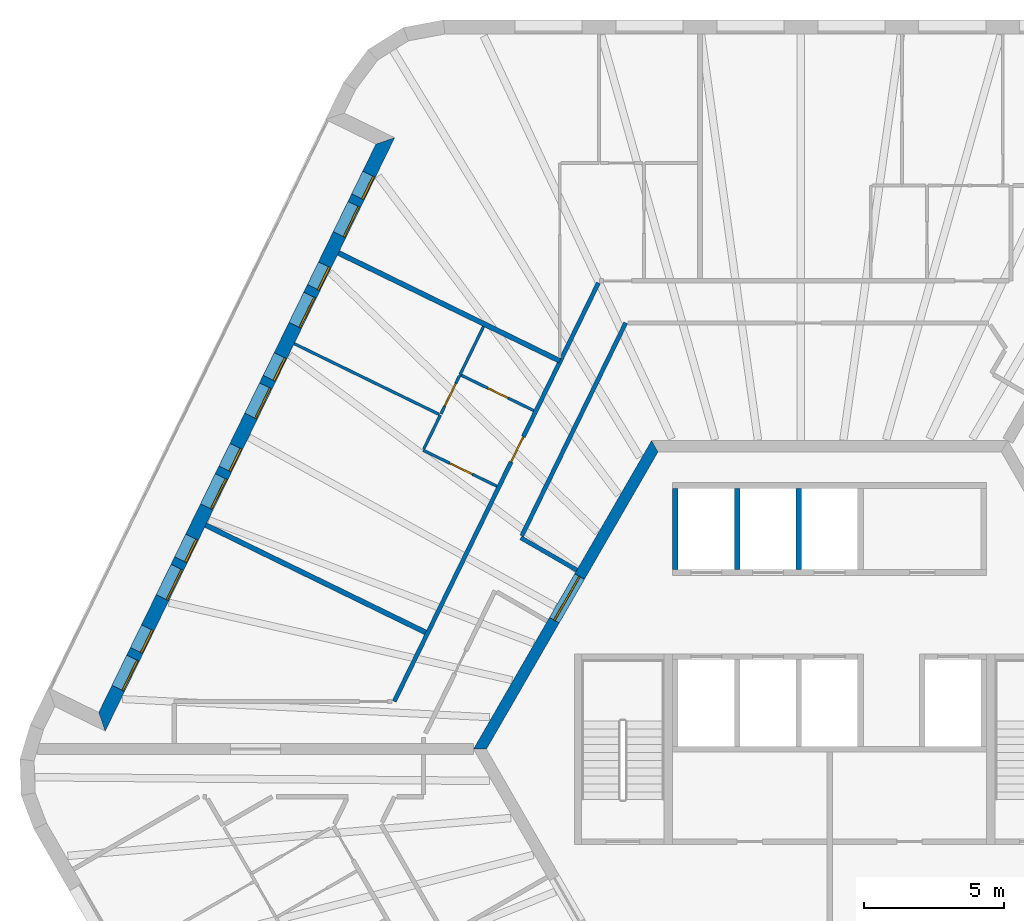
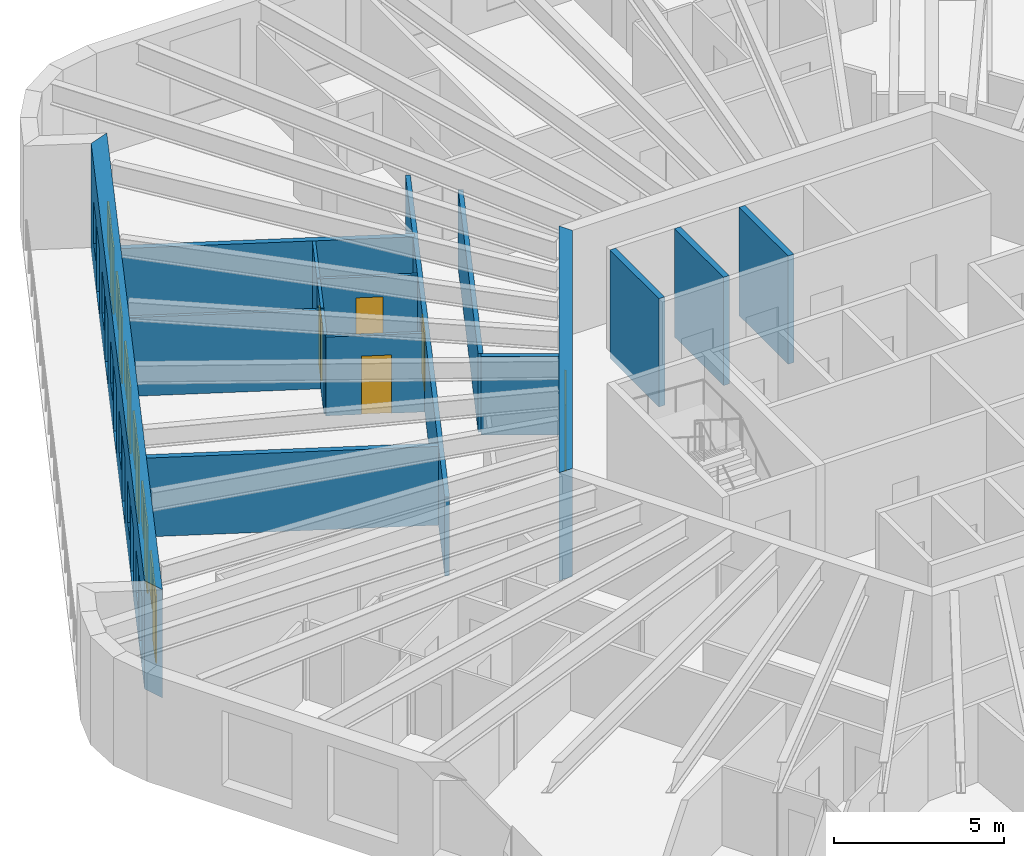
# One storey, part 8 of 12: 16 walls, 11 doors, 6 windows, 17 openings.
"""IFC4 building model written with IfcOpenShell, lengths in metres."""

import ifcopenshell
import ifcopenshell.guid

model = None  # the IFC model being written
_history = None  # IfcOwnerHistory: only IFC2X3 demands one
_inside = {}  # id of a spatial element -> (the spatial element, [elements in it])
_under = {}  # id of a project, library or spatial element -> (it, [spatial elements below it])
_declared = {}  # id of a project -> (the project, [libraries it declares])
_typed = {}  # id of a type object -> (the type object, [elements of that type])
_made_of = {}  # id of a material, layer set ... -> (it, [elements and type objects made of it])


def new_model(schema):
    """Start an empty IFC model of exactly this schema.

    Asked for "IFC4X3", IfcOpenShell would pick the latest addendum, in which some entities
    have other attributes; the version numbers below select the first issue.
    IFC2X3 requires an IfcOwnerHistory on every rooted entity: one is made here for all.
    """
    global model, _history
    if schema == "IFC4X3":
        model = ifcopenshell.file(schema_version=(4, 3, 0, 0))
    else:
        model = ifcopenshell.file(schema=schema)
    _inside.clear()
    _under.clear()
    _declared.clear()
    _typed.clear()
    _made_of.clear()
    _history = None
    if model.schema == "IFC2X3":
        org = make("IfcOrganization", Name="unknown")
        user = make(
            "IfcPersonAndOrganization",
            ThePerson=make("IfcPerson", FamilyName="unknown"),
            TheOrganization=org,
        )
        app = make(
            "IfcApplication",
            ApplicationDeveloper=org,
            Version="unknown",
            ApplicationFullName="unknown",
            ApplicationIdentifier="unknown",
        )
        _history = make(
            "IfcOwnerHistory",
            OwningUser=user,
            OwningApplication=app,
            ChangeAction="ADDED",
            CreationDate=0,
        )
    return model


def make(cls, **values):
    """One entity of the class cls with the attributes given. An attribute that is None is left unset."""
    return model.create_entity(
        cls, **{name: value for name, value in values.items() if value is not None}
    )


def rooted(cls, **values):
    """An entity with a GlobalId (a new one), such as an element, a storey or a relation."""
    return make(cls, GlobalId=ifcopenshell.guid.new(), OwnerHistory=_history, **values)


def si_unit(unit_type, name, prefix=None):
    """IfcSIUnit, for example si_unit("LENGTHUNIT", "METRE", prefix="MILLI")."""
    return make("IfcSIUnit", UnitType=unit_type, Prefix=prefix, Name=name)


def assignment(units):
    """IfcUnitAssignment: the units of a project."""
    return None if units is None else make("IfcUnitAssignment", Units=units)


def point(xyz):
    """IfcCartesianPoint."""
    return None if xyz is None else make("IfcCartesianPoint", Coordinates=xyz)


def direction(xyz):
    """IfcDirection."""
    return None if xyz is None else make("IfcDirection", DirectionRatios=xyz)


def frame(location, z_axis=None, x_axis=None):
    """IfcAxis2Placement3D, a coordinate frame: its origin and axes. An axis left out is left unset."""
    return make(
        "IfcAxis2Placement3D",
        Location=point(location),
        Axis=direction(z_axis),
        RefDirection=direction(x_axis),
    )


def frame_2d(location, x_axis=None):
    """IfcAxis2Placement2D, a coordinate frame in the plane: its origin and x axis."""
    return make(
        "IfcAxis2Placement2D", Location=point(location), RefDirection=direction(x_axis)
    )


def origin():
    """The frame at (0, 0, 0) with its axes left unset."""
    return frame((0.0, 0.0, 0.0))


def place(relative_to, where):
    """IfcLocalPlacement: puts the frame where relative to a parent placement (None: the world)."""
    return make(
        "IfcLocalPlacement", PlacementRelTo=relative_to, RelativePlacement=where
    )


def context(
    kind, dimensions, precision=None, world=None, true_north=None, identifier=None
):
    """IfcGeometricRepresentationContext, for example the 3D "Model" context."""
    return make(
        "IfcGeometricRepresentationContext",
        ContextIdentifier=identifier,
        ContextType=kind,
        CoordinateSpaceDimension=dimensions,
        Precision=precision,
        WorldCoordinateSystem=world,
        TrueNorth=true_north,
    )


def subcontext(parent, identifier, kind, view, scale=None):
    """IfcGeometricRepresentationSubContext, for example "Body" below "Model"."""
    return make(
        "IfcGeometricRepresentationSubContext",
        ContextIdentifier=identifier,
        ContextType=kind,
        ParentContext=parent,
        TargetScale=scale,
        TargetView=view,
    )


def project(units=None, contexts=None):
    """IfcProject with its units and contexts."""
    return rooted(
        "IfcProject",
        Name="project",
        RepresentationContexts=contexts,
        UnitsInContext=assignment(units),
    )


def spatial(cls, under=None, at=None, **own):
    """A site, building, storey or space (cls), placed at a placement, below another one or the project."""
    s = rooted(cls, ObjectPlacement=at, **own)
    if under is not None:
        _under.setdefault(under.id(), (under, []))[1].append(s)
    return s


def polyline(points):
    """IfcPolyline through the points."""
    return make("IfcPolyline", Points=[point(p) for p in points])


def profile(cls, at=None, kind="AREA", **sizes):
    """A parametric profile (cls). Its sizes go by their IFC names, for example OverallWidth=200.0."""
    return make(cls, ProfileType=kind, Position=at, **sizes)


def rectangle(**sizes):
    """IfcRectangleProfileDef."""
    return profile("IfcRectangleProfileDef", **sizes)


def outline(outer, holes=None, kind="AREA"):
    """IfcArbitraryClosedProfileDef: a profile drawn as a closed curve; with holes, ...WithVoids."""
    if holes is None:
        return make("IfcArbitraryClosedProfileDef", ProfileType=kind, OuterCurve=outer)
    return make(
        "IfcArbitraryProfileDefWithVoids",
        ProfileType=kind,
        OuterCurve=outer,
        InnerCurves=holes,
    )


def extrude(swept, where, along, depth):
    """IfcExtrudedAreaSolid: the profile swept, set in the frame where, extruded along a direction by depth."""
    return make(
        "IfcExtrudedAreaSolid",
        SweptArea=swept,
        Position=where,
        ExtrudedDirection=direction(along),
        Depth=depth,
    )


def shape(context_of_items, identifier, shape_type, items):
    """IfcShapeRepresentation: the items that make up one representation, for example the "Body"."""
    return make(
        "IfcShapeRepresentation",
        ContextOfItems=context_of_items,
        RepresentationIdentifier=identifier,
        RepresentationType=shape_type,
        Items=items,
    )


def material(Name=None, Category=None):
    """IfcMaterial."""
    return make("IfcMaterial", Name=Name, Category=Category)


def layer(
    of_material, thickness, ventilated=None, Name=None, Category=None, Priority=None
):
    """IfcMaterialLayer: one layer of a wall or slab, of a material (None: an air gap)."""
    return make(
        "IfcMaterialLayer",
        Material=of_material,
        LayerThickness=thickness,
        IsVentilated=ventilated,
        Name=Name,
        Category=Category,
        Priority=Priority,
    )


def layer_set(layers, Name=None):
    """IfcMaterialLayerSet."""
    return make("IfcMaterialLayerSet", MaterialLayers=layers, LayerSetName=Name)


def made_of(thing, what):
    """Note that an element or type object is made of a material, layer set ...; save() writes the relation."""
    if what is not None:
        _made_of.setdefault(what.id(), (what, []))[1].append(thing)
    return thing


def type_object(cls, material=None, **own):
    """A type object (cls), such as IfcWallType, which elements share."""
    return made_of(rooted(cls, **own), material)


def element(
    cls,
    number,
    at=None,
    inside=None,
    cuts=None,
    type_object=None,
    material=None,
    context=None,
    identifier="Body",
    shape_type=None,
    held_by="IfcProductDefinitionShape",
    body=None,
    shapes=None,
    **own,
):
    """One element of the class cls, such as IfcWall. Its Tag is "e" and its number.

    at: its placement. inside: the storey or other place that contains it. cuts: it is an
    opening in that element (IfcRelVoidsElement). A single representation is given by context,
    identifier, shape_type and body (its items); several are given by shapes. held_by: the class
    of the entity that holds the representations. save() writes the other relations.
    """
    e = rooted(cls, Tag="e%d" % number, ObjectPlacement=at, **own)
    if body is not None:
        shapes = [shape(context, identifier, shape_type, body)]
    if shapes is not None:
        e.Representation = make(held_by, Representations=shapes)
    if inside is not None:
        _inside.setdefault(inside.id(), (inside, []))[1].append(e)
    if cuts is not None:
        rooted(
            "IfcRelVoidsElement", RelatingBuildingElement=cuts, RelatedOpeningElement=e
        )
    if type_object is not None:
        _typed.setdefault(type_object.id(), (type_object, []))[1].append(e)
    return made_of(e, material)


def fill(opening, filler):
    """IfcRelFillsElement: the door or window that sits in an opening."""
    return rooted(
        "IfcRelFillsElement",
        RelatingOpeningElement=opening,
        RelatedBuildingElement=filler,
    )


def aggregate(whole, parts):
    """IfcRelAggregates: a whole, such as a stair, and the parts it consists of."""
    return rooted("IfcRelAggregates", RelatingObject=whole, RelatedObjects=parts)


def save(model, path):
    """Write the relations noted so far, then the file.

    IfcRelAggregates (storeys below a building ...), IfcRelContainedInSpatialStructure (elements
    in a storey), IfcRelDefinesByType, IfcRelAssociatesMaterial and IfcRelDeclares: one each for
    every whole, place, type object, material and project.
    """
    for whole, parts in _under.values():
        aggregate(whole, parts)
    for where, things in _inside.values():
        rooted(
            "IfcRelContainedInSpatialStructure",
            RelatedElements=things,
            RelatingStructure=where,
        )
    for kind, things in _typed.values():
        rooted("IfcRelDefinesByType", RelatedObjects=things, RelatingType=kind)
    for what, things in _made_of.values():
        rooted("IfcRelAssociatesMaterial", RelatedObjects=things, RelatingMaterial=what)
    for by, libraries in _declared.values():
        rooted("IfcRelDeclares", RelatingContext=by, RelatedDefinitions=libraries)
    model.write(path)


model = new_model("IFC4")

# Units and contexts
model_context = context("Model", 3, precision=1e-05, world=origin(), true_north=direction((0.0, 1.0)))
body_context = subcontext(model_context, "Body", "Model", "MODEL_VIEW")
ifc_project = project(units=[si_unit("LENGTHUNIT", "METRE"), si_unit("AREAUNIT", "SQUARE_METRE"), si_unit("VOLUMEUNIT", "CUBIC_METRE"), si_unit("PLANEANGLEUNIT", "RADIAN"), si_unit("MASSUNIT", "GRAM", prefix="KILO")], contexts=[model_context])

# Site, building, storey
site_placement = place(None, origin())
site = spatial("IfcSite", under=ifc_project, at=site_placement, CompositionType="ELEMENT")
building_placement = place(site_placement, origin())
building = spatial("IfcBuilding", under=site, at=building_placement, Name="Tarnside Tower", CompositionType="ELEMENT")
storey_placement = place(building_placement, frame((0.0, 0.0, 330.300048828125)))
storey = spatial("IfcBuildingStorey", under=building, at=storey_placement, Name="L80", CompositionType="ELEMENT", Elevation=330.300048828125)

# Wall, opening, door
ifc_material_1 = material(Name="Gypsum board partition on steel studs", Category="steel")
ifc_layer_1 = layer(ifc_material_1, 0.10009765625)
ifc_layer_set_1 = layer_set([ifc_layer_1], Name="Bathroom wall 100")
wall_type_1 = type_object("IfcWallType", Name="Bathroom wall 100", PredefinedType="PARTITIONING", material=ifc_layer_set_1)
wall_1_placement = place(storey_placement, frame((-10.551025390625, 12.07177734375, 0.0), z_axis=(0.0, 0.0, 1.0), x_axis=(-0.898790906006, 0.438377585285, 0.0)))
wall_1 = element("IfcWall", 1, at=wall_1_placement, inside=storey, type_object=wall_type_1, Name="Bathroom wall 26106", PredefinedType="PARTITIONING", context=body_context, shape_type="SweptSolid", body=[
    extrude(rectangle(XDim=2.925048828125, YDim=0.10009765625, at=frame_2d((1.46240234375, 0.0))), origin(), (0.0, 0.0, 1.0), 2.837646484375),
])
opening_1_placement = place(wall_1_placement, frame((1.02490234375, 0.0, 0.0)))
opening_1 = element("IfcOpeningElement", 2, at=opening_1_placement, cuts=wall_1, Name="Opening D-B1", PredefinedType="OPENING", context=body_context, shape_type="SweptSolid", body=[
    extrude(rectangle(XDim=0.800048828125, YDim=2.10009765625, at=frame_2d((0.39990234375, 1.050048828125))), frame((0.0, 0.06005859375, 0.0), z_axis=(0.0, -1.0, 0.0), x_axis=(1.0, 0.0, 0.0)), (0.0, 0.0, 1.0), 0.1201171875),
])
ifc_material_2 = material(Name="Timber door leaf", Category="wood")
door_type_1 = type_object("IfcDoorType", Name="Bathroom door 800", OperationType="NOTDEFINED", PredefinedType="DOOR", material=ifc_material_2)
door_1_placement = place(opening_1_placement, origin())
door_1 = element("IfcDoor", 3, at=door_1_placement, inside=storey, type_object=door_type_1, Name="Bathroom door 26015", OperationType="SINGLE_SWING_RIGHT", OverallHeight=2.10009765625, OverallWidth=0.800048828125, PredefinedType="DOOR", context=body_context, shape_type="SweptSolid", body=[
    extrude(rectangle(XDim=0.800048828125, YDim=2.10009765625, at=frame_2d((0.39990234375, 1.050048828125))), frame((0.0, 0.02490234375, 0.0), z_axis=(0.0, -1.0, 0.0), x_axis=(1.0, 0.0, 0.0)), (0.0, 0.0, 1.0), 0.050048828125),
])
fill(opening_1, door_1)

# Wall
wall_2_placement = place(storey_placement, frame((-12.342529296875, 15.070556640625, 0.0), z_axis=(0.0, 0.0, 1.0), x_axis=(-0.438458849983, -0.898751265296, 0.0)))
element("IfcWall", 4, at=wall_2_placement, inside=storey, type_object=wall_type_1, Name="Bathroom wall 26108", PredefinedType="PARTITIONING", context=body_context, shape_type="SweptSolid", body=[
    extrude(rectangle(XDim=1.912109375, YDim=0.10009765625, at=frame_2d((0.9560546875, 0.0))), origin(), (0.0, 0.0, 1.0), 2.837646484375),
])

# Wall, opening, door
ifc_material_3 = material(Name="Concrete C60/75", Category="concrete")
ifc_layer_2 = layer(ifc_material_3, 0.39990234375)
ifc_layer_set_2 = layer_set([ifc_layer_2], Name="Core wall Z3 400 C60/75")
wall_type_2 = type_object("IfcWallType", Name="Core wall Z3 400 C60/75", PredefinedType="SHEAR", material=ifc_layer_set_2)
wall_3_placement = place(storey_placement, frame((-6.2353515625, 10.800048828125, -0.150146484375), z_axis=(0.0, 0.0, 1.0), x_axis=(-0.499996419489, -0.866027470984, 0.0)))
wall_3 = element("IfcWall", 5, at=wall_3_placement, inside=storey, type_object=wall_type_2, Name="L80 core wall face 2", PredefinedType="SHEAR", context=body_context, shape_type="SweptSolid", body=[
    extrude(outline(polyline([(-0.115478515625, -0.199951171875), (12.586181640625, -0.199951171875), (12.355224609375, 0.199951171875), (0.115478515625, 0.199951171875), (-0.115478515625, -0.199951171875)])), origin(), (0.0, 0.0, 1.0), 3.900146484375),
])
opening_2_placement = place(wall_3_placement, frame((5.3642578125, 0.0, 0.14990234375)))
opening_2 = element("IfcOpeningElement", 6, at=opening_2_placement, cuts=wall_3, Name="Opening CD-LOB", PredefinedType="OPENING", context=body_context, shape_type="SweptSolid", body=[
    extrude(rectangle(XDim=1.800048828125, YDim=2.39990234375, at=frame_2d((0.89990234375, 1.199951171875))), frame((0.0, 0.2099609375, 0.0), z_axis=(0.0, -1.0, 0.0), x_axis=(1.0, 0.0, 0.0)), (0.0, 0.0, 1.0), 0.419921875),
])
ifc_material_4 = material(Name="Steel fire door", Category="steel")
door_type_2 = type_object("IfcDoorType", Name="Lobby double door FD30S 1800x2400", OperationType="NOTDEFINED", PredefinedType="DOOR", material=ifc_material_4)
door_2_placement = place(opening_2_placement, origin())
door_2 = element("IfcDoor", 7, at=door_2_placement, inside=storey, type_object=door_type_2, Name="L80 core door P1", OperationType="DOUBLE_DOOR_SINGLE_SWING", OverallHeight=2.39990234375, OverallWidth=1.800048828125, PredefinedType="DOOR", context=body_context, shape_type="SweptSolid", body=[
    extrude(rectangle(XDim=1.800048828125, YDim=2.39990234375, at=frame_2d((0.89990234375, 1.199951171875))), frame((0.0, 0.02490234375, 0.0), z_axis=(0.0, -1.0, 0.0), x_axis=(1.0, 0.0, 0.0)), (0.0, 0.0, 1.0), 0.050048828125),
])
fill(opening_2, door_2)

ifc_layer_3 = layer(ifc_material_1, 0.14990234375)
ifc_layer_set_3 = layer_set([ifc_layer_3], Name="Corridor wall 150 EI 60")
wall_type_3 = type_object("IfcWallType", Name="Corridor wall 150 EI 60", PredefinedType="PARTITIONING", material=ifc_layer_set_3)
wall_4_placement = place(storey_placement, frame((-8.24658203125, 16.625, 0.0), z_axis=(0.0, 0.0, 1.0), x_axis=(-0.438376416131, -0.89879147625, 0.0)))
wall_4 = element("IfcWall", 8, at=wall_4_placement, inside=storey, type_object=wall_type_3, Name="Corridor wall 26009", PredefinedType="PARTITIONING", context=body_context, shape_type="SweptSolid", body=[
    extrude(rectangle(XDim=16.605712890625, YDim=0.14990234375, at=frame_2d((8.302734375, 0.0))), origin(), (0.0, 0.0, 1.0), 2.837646484375),
])
opening_3_placement = place(wall_4_placement, frame((6.1025390625, 0.0, 0.0)))
opening_3 = element("IfcOpeningElement", 9, at=opening_3_placement, cuts=wall_4, Name="Opening D-E1", PredefinedType="OPENING", context=body_context, shape_type="SweptSolid", body=[
    extrude(rectangle(XDim=1.0, YDim=2.10009765625, at=frame_2d((0.5, 1.050048828125))), frame((0.0, 0.0849609375, 0.0), z_axis=(0.0, -1.0, 0.0), x_axis=(1.0, 0.0, 0.0)), (0.0, 0.0, 1.0), 0.169921875),
])
door_type_3 = type_object("IfcDoorType", Name="Unit entrance door 1000 FD30S", OperationType="NOTDEFINED", PredefinedType="DOOR", material=ifc_material_2)
door_3_placement = place(opening_3_placement, origin())
door_3 = element("IfcDoor", 10, at=door_3_placement, inside=storey, type_object=door_type_3, Name="Unit door 26014", OperationType="SINGLE_SWING_LEFT", OverallHeight=2.10009765625, OverallWidth=1.0, PredefinedType="DOOR", context=body_context, shape_type="SweptSolid", body=[
    extrude(rectangle(XDim=1.0, YDim=2.10009765625, at=frame_2d((0.5, 1.050048828125))), frame((0.0, 0.02490234375, 0.0), z_axis=(0.0, -1.0, 0.0), x_axis=(1.0, 0.0, 0.0)), (0.0, 0.0, 1.0), 0.050048828125),
])
fill(opening_3, door_3)

# Walls
wall_5_placement = place(storey_placement, frame((-9.015625, 6.38427734375, 0.0), z_axis=(0.0, 0.0, 1.0), x_axis=(-0.866030286288, 0.49999154316, 0.0)))
element("IfcWall", 11, at=wall_5_placement, inside=storey, type_object=wall_type_3, Name="Corridor wall 26017", PredefinedType="PARTITIONING", context=body_context, shape_type="SweptSolid", body=[
    extrude(rectangle(XDim=2.3037109375, YDim=0.14990234375, at=frame_2d((1.15185546875, 0.0))), origin(), (0.0, 0.0, 1.0), 2.837646484375),
])
wall_6_placement = place(storey_placement, frame((-10.977783203125, 7.603759765625, 0.0), z_axis=(0.0, 0.0, 1.0), x_axis=(0.43838720727, 0.898786212902, 0.0)))
element("IfcWall", 12, at=wall_6_placement, inside=storey, type_object=wall_type_3, Name="Corridor wall 26018", PredefinedType="PARTITIONING", context=body_context, shape_type="SweptSolid", body=[
    extrude(rectangle(XDim=8.45166015625, YDim=0.14990234375, at=frame_2d((4.225830078125, 0.0))), origin(), (0.0, 0.0, 1.0), 2.837646484375),
])
ifc_layer_4 = layer(ifc_material_1, 0.179931640625)
ifc_layer_set_4 = layer_set([ifc_layer_4], Name="Demising wall 180 EI 60")
wall_type_4 = type_object("IfcWallType", Name="Demising wall 180 EI 60", PredefinedType="PARTITIONING", material=ifc_layer_set_4)
wall_7_placement = place(storey_placement, frame((-17.51611328125, 17.694091796875, 0.0), z_axis=(0.0, 0.0, 1.0), x_axis=(0.898787414812, -0.438384743092, 0.0)))
element("IfcWall", 13, at=wall_7_placement, inside=storey, type_object=wall_type_4, Name="Demising wall 26097", PredefinedType="PARTITIONING", context=body_context, shape_type="SweptSolid", body=[
    extrude(rectangle(XDim=8.781982421875, YDim=0.179931640625, at=frame_2d((4.39111328125, 0.0))), origin(), (0.0, 0.0, 1.0), 2.837646484375),
])
wall_8_placement = place(storey_placement, frame((-22.25048828125, 7.987060546875, 0.0), z_axis=(0.0, 0.0, 1.0), x_axis=(0.898793723754, -0.438371808105, 0.0)))
element("IfcWall", 14, at=wall_8_placement, inside=storey, type_object=wall_type_4, Name="Demising wall 26105", PredefinedType="PARTITIONING", context=body_context, shape_type="SweptSolid", body=[
    extrude(rectangle(XDim=8.724853515625, YDim=0.179931640625, at=frame_2d((4.3623046875, 0.0))), origin(), (0.0, 0.0, 1.0), 2.837646484375),
])
ifc_material_5 = material(Name="Concrete C40/50", Category="concrete")
ifc_layer_5 = layer(ifc_material_5, 0.199951171875)
ifc_layer_set_5 = layer_set([ifc_layer_5], Name="Lift shaft wall 200 C40/50")
wall_type_5 = type_object("IfcWallType", Name="Lift shaft wall 200 C40/50", PredefinedType="SHEAR", material=ifc_layer_set_5)
for number, where, z_axis, x_axis, name in (
    (15, (-5.5, 6.39990234375, -0.25), (0.0, 0.0, 1.0), (0.0, 1.0, 0.0), "L80 lift shaft partition R11"),
    (16, (-3.300048828125, 6.39990234375, -0.25), (0.0, 0.0, 1.0), (0.0, 1.0, 0.0), "L80 lift shaft partition R12"),
    (17, (-1.10009765625, 6.39990234375, -0.25), (0.0, 0.0, 1.0), (0.0, 1.0, 0.0), "L80 lift shaft partition R13"),
):
    element("IfcWall", number, at=place(storey_placement, frame(where, z_axis=z_axis, x_axis=x_axis)), inside=storey, type_object=wall_type_5, Name=name, PredefinedType="SHEAR", context=body_context, shape_type="SweptSolid", body=[
        extrude(rectangle(XDim=2.900146484375, YDim=0.199951171875, at=frame_2d((1.4501953125, 0.0))), origin(), (0.0, 0.0, 1.0), 3.89990234375),
    ])

# Wall, openings, doors, windows
ifc_material_6 = material(Name="Dark zinc cladding")
ifc_layer_6 = layer(ifc_material_6, 0.10205078125)
ifc_material_7 = material(Name="Concrete C60/75 precast", Category="concrete")
ifc_layer_7 = layer(ifc_material_7, 0.298095703125)
ifc_material_8 = material(Name="Mineral wool insulation")
ifc_layer_8 = layer(ifc_material_8, 0.10009765625)
ifc_layer_set_6 = layer_set([ifc_layer_6, ifc_layer_7, ifc_layer_8], Name="Loggia wall 500 zinc faced")
wall_type_6 = type_object("IfcWallType", Name="Loggia wall 500 zinc faced", PredefinedType="SOLIDWALL", material=ifc_layer_set_6)
wall_9_placement = place(storey_placement, frame((-15.845947265625, 21.6884765625, -0.150146484375), z_axis=(0.0, 0.0, 1.0), x_axis=(-0.438377502627, -0.898790946322, 0.0)))
wall_9 = element("IfcWall", 18, at=wall_9_placement, inside=storey, type_object=wall_type_6, Name="Tube wall L80 F2 back 06", PredefinedType="SOLIDWALL", context=body_context, shape_type="SweptSolid", body=[
    extrude(outline(polyline([(0.25, -0.25), (22.794677734375, -0.25), (23.294677734375, 0.25), (-0.25, 0.25), (0.25, -0.25)])), origin(), (0.0, 0.0, 1.0), 3.900146484375),
])
opening_4_placement = place(wall_9_placement, frame((1.322509765625, 0.0, 1.050048828125)))
opening_4 = element("IfcOpeningElement", 19, at=opening_4_placement, cuts=wall_9, Name="Opening WL500", PredefinedType="OPENING", context=body_context, shape_type="SweptSolid", body=[
    extrude(rectangle(XDim=0.89990234375, YDim=1.5, at=frame_2d((0.449951171875, 0.75))), frame((0.0, 0.260009765625, 0.0), z_axis=(0.0, -1.0, 0.0), x_axis=(1.0, 0.0, 0.0)), (0.0, 0.0, 1.0), 0.52001953125),
])
opening_5_placement = place(wall_9_placement, frame((2.5224609375, 0.0, 0.14990234375)))
opening_5 = element("IfcOpeningElement", 20, at=opening_5_placement, cuts=wall_9, Name="Opening DB500", PredefinedType="OPENING", context=body_context, shape_type="SweptSolid", body=[
    extrude(rectangle(XDim=1.199951171875, YDim=2.39990234375, at=frame_2d((0.60009765625, 1.199951171875))), frame((0.0, 0.260009765625, 0.0), z_axis=(0.0, -1.0, 0.0), x_axis=(1.0, 0.0, 0.0)), (0.0, 0.0, 1.0), 0.52001953125),
])
opening_6_placement = place(wall_9_placement, frame((4.92236328125, 0.0, 1.050048828125)))
opening_6 = element("IfcOpeningElement", 21, at=opening_6_placement, cuts=wall_9, Name="Opening WL500", PredefinedType="OPENING", context=body_context, shape_type="SweptSolid", body=[
    extrude(rectangle(XDim=0.89990234375, YDim=1.5, at=frame_2d((0.449951171875, 0.75))), frame((0.0, 0.260009765625, 0.0), z_axis=(0.0, -1.0, 0.0), x_axis=(1.0, 0.0, 0.0)), (0.0, 0.0, 1.0), 0.52001953125),
])
opening_7_placement = place(wall_9_placement, frame((6.122314453125, 0.0, 0.14990234375)))
opening_7 = element("IfcOpeningElement", 22, at=opening_7_placement, cuts=wall_9, Name="Opening DB500", PredefinedType="OPENING", context=body_context, shape_type="SweptSolid", body=[
    extrude(rectangle(XDim=1.199951171875, YDim=2.39990234375, at=frame_2d((0.60009765625, 1.199951171875))), frame((0.0, 0.260009765625, 0.0), z_axis=(0.0, -1.0, 0.0), x_axis=(1.0, 0.0, 0.0)), (0.0, 0.0, 1.0), 0.52001953125),
])
opening_8_placement = place(wall_9_placement, frame((8.5224609375, 0.0, 1.050048828125)))
opening_8 = element("IfcOpeningElement", 23, at=opening_8_placement, cuts=wall_9, Name="Opening WL500", PredefinedType="OPENING", context=body_context, shape_type="SweptSolid", body=[
    extrude(rectangle(XDim=0.89990234375, YDim=1.5, at=frame_2d((0.449951171875, 0.75))), frame((0.0, 0.260009765625, 0.0), z_axis=(0.0, -1.0, 0.0), x_axis=(1.0, 0.0, 0.0)), (0.0, 0.0, 1.0), 0.52001953125),
])
opening_9_placement = place(wall_9_placement, frame((9.722412109375, 0.0, 0.14990234375)))
opening_9 = element("IfcOpeningElement", 24, at=opening_9_placement, cuts=wall_9, Name="Opening DB500", PredefinedType="OPENING", context=body_context, shape_type="SweptSolid", body=[
    extrude(rectangle(XDim=1.199951171875, YDim=2.39990234375, at=frame_2d((0.60009765625, 1.199951171875))), frame((0.0, 0.260009765625, 0.0), z_axis=(0.0, -1.0, 0.0), x_axis=(1.0, 0.0, 0.0)), (0.0, 0.0, 1.0), 0.52001953125),
])
opening_10_placement = place(wall_9_placement, frame((12.122314453125, 0.0, 1.050048828125)))
opening_10 = element("IfcOpeningElement", 25, at=opening_10_placement, cuts=wall_9, Name="Opening WL500", PredefinedType="OPENING", context=body_context, shape_type="SweptSolid", body=[
    extrude(rectangle(XDim=0.89990234375, YDim=1.5, at=frame_2d((0.449951171875, 0.75))), frame((0.0, 0.260009765625, 0.0), z_axis=(0.0, -1.0, 0.0), x_axis=(1.0, 0.0, 0.0)), (0.0, 0.0, 1.0), 0.52001953125),
])
opening_11_placement = place(wall_9_placement, frame((13.322509765625, 0.0, 0.14990234375)))
opening_11 = element("IfcOpeningElement", 26, at=opening_11_placement, cuts=wall_9, Name="Opening DB500", PredefinedType="OPENING", context=body_context, shape_type="SweptSolid", body=[
    extrude(rectangle(XDim=1.199951171875, YDim=2.39990234375, at=frame_2d((0.60009765625, 1.199951171875))), frame((0.0, 0.260009765625, 0.0), z_axis=(0.0, -1.0, 0.0), x_axis=(1.0, 0.0, 0.0)), (0.0, 0.0, 1.0), 0.52001953125),
])
opening_12_placement = place(wall_9_placement, frame((15.722412109375, 0.0, 1.050048828125)))
opening_12 = element("IfcOpeningElement", 27, at=opening_12_placement, cuts=wall_9, Name="Opening WL500", PredefinedType="OPENING", context=body_context, shape_type="SweptSolid", body=[
    extrude(rectangle(XDim=0.89990234375, YDim=1.5, at=frame_2d((0.449951171875, 0.75))), frame((0.0, 0.260009765625, 0.0), z_axis=(0.0, -1.0, 0.0), x_axis=(1.0, 0.0, 0.0)), (0.0, 0.0, 1.0), 0.52001953125),
])
opening_13_placement = place(wall_9_placement, frame((16.92236328125, 0.0, 0.14990234375)))
opening_13 = element("IfcOpeningElement", 28, at=opening_13_placement, cuts=wall_9, Name="Opening DB500", PredefinedType="OPENING", context=body_context, shape_type="SweptSolid", body=[
    extrude(rectangle(XDim=1.199951171875, YDim=2.39990234375, at=frame_2d((0.60009765625, 1.199951171875))), frame((0.0, 0.260009765625, 0.0), z_axis=(0.0, -1.0, 0.0), x_axis=(1.0, 0.0, 0.0)), (0.0, 0.0, 1.0), 0.52001953125),
])
opening_14_placement = place(wall_9_placement, frame((19.322509765625, 0.0, 1.050048828125)))
opening_14 = element("IfcOpeningElement", 29, at=opening_14_placement, cuts=wall_9, Name="Opening WL500", PredefinedType="OPENING", context=body_context, shape_type="SweptSolid", body=[
    extrude(rectangle(XDim=0.89990234375, YDim=1.5, at=frame_2d((0.449951171875, 0.75))), frame((0.0, 0.260009765625, 0.0), z_axis=(0.0, -1.0, 0.0), x_axis=(1.0, 0.0, 0.0)), (0.0, 0.0, 1.0), 0.52001953125),
])
opening_15_placement = place(wall_9_placement, frame((20.5224609375, 0.0, 0.14990234375)))
opening_15 = element("IfcOpeningElement", 30, at=opening_15_placement, cuts=wall_9, Name="Opening DB500", PredefinedType="OPENING", context=body_context, shape_type="SweptSolid", body=[
    extrude(rectangle(XDim=1.199951171875, YDim=2.39990234375, at=frame_2d((0.60009765625, 1.199951171875))), frame((0.0, 0.260009765625, 0.0), z_axis=(0.0, -1.0, 0.0), x_axis=(1.0, 0.0, 0.0)), (0.0, 0.0, 1.0), 0.52001953125),
])
ifc_material_9 = material(Name="Aluminium-framed double glazing", Category="aluminium")
door_type_4 = type_object("IfcDoorType", Name="Balcony sliding door 1200 x 2400 in 500 wall", OperationType="SLIDING_TO_LEFT", PredefinedType="DOOR", material=ifc_material_9)
door_4_placement = place(opening_5_placement, frame((0.0, 0.1748046875, 0.0)))
door_4 = element("IfcDoor", 31, at=door_4_placement, inside=storey, type_object=door_type_4, Name="E.BD.L80.F2.00", OperationType="SLIDING_TO_LEFT", OverallHeight=2.39990234375, OverallWidth=1.199951171875, PredefinedType="DOOR", context=body_context, shape_type="SweptSolid", body=[
    extrude(rectangle(XDim=1.199951171875, YDim=2.39990234375, at=frame_2d((0.60009765625, 1.199951171875))), frame((0.0, 0.02490234375, 0.0), z_axis=(0.0, -1.0, 0.0), x_axis=(1.0, 0.0, 0.0)), (0.0, 0.0, 1.0), 0.050048828125),
])
fill(opening_5, door_4)
door_5_placement = place(opening_7_placement, frame((0.0, 0.1748046875, 0.0)))
door_5 = element("IfcDoor", 32, at=door_5_placement, inside=storey, type_object=door_type_4, Name="E.BD.L80.F2.01", OperationType="SLIDING_TO_LEFT", OverallHeight=2.39990234375, OverallWidth=1.199951171875, PredefinedType="DOOR", context=body_context, shape_type="SweptSolid", body=[
    extrude(rectangle(XDim=1.199951171875, YDim=2.39990234375, at=frame_2d((0.60009765625, 1.199951171875))), frame((0.0, 0.02490234375, 0.0), z_axis=(0.0, -1.0, 0.0), x_axis=(1.0, 0.0, 0.0)), (0.0, 0.0, 1.0), 0.050048828125),
])
fill(opening_7, door_5)
door_6_placement = place(opening_9_placement, frame((0.0, 0.1748046875, 0.0)))
door_6 = element("IfcDoor", 33, at=door_6_placement, inside=storey, type_object=door_type_4, Name="E.BD.L80.F2.02", OperationType="SLIDING_TO_LEFT", OverallHeight=2.39990234375, OverallWidth=1.199951171875, PredefinedType="DOOR", context=body_context, shape_type="SweptSolid", body=[
    extrude(rectangle(XDim=1.199951171875, YDim=2.39990234375, at=frame_2d((0.60009765625, 1.199951171875))), frame((0.0, 0.02490234375, 0.0), z_axis=(0.0, -1.0, 0.0), x_axis=(1.0, 0.0, 0.0)), (0.0, 0.0, 1.0), 0.050048828125),
])
fill(opening_9, door_6)
door_7_placement = place(opening_11_placement, frame((0.0, 0.1748046875, 0.0)))
door_7 = element("IfcDoor", 34, at=door_7_placement, inside=storey, type_object=door_type_4, Name="E.BD.L80.F2.03", OperationType="SLIDING_TO_LEFT", OverallHeight=2.39990234375, OverallWidth=1.199951171875, PredefinedType="DOOR", context=body_context, shape_type="SweptSolid", body=[
    extrude(rectangle(XDim=1.199951171875, YDim=2.39990234375, at=frame_2d((0.60009765625, 1.199951171875))), frame((0.0, 0.02490234375, 0.0), z_axis=(0.0, -1.0, 0.0), x_axis=(1.0, 0.0, 0.0)), (0.0, 0.0, 1.0), 0.050048828125),
])
fill(opening_11, door_7)
door_8_placement = place(opening_13_placement, frame((0.0, 0.1748046875, 0.0)))
door_8 = element("IfcDoor", 35, at=door_8_placement, inside=storey, type_object=door_type_4, Name="E.BD.L80.F2.04", OperationType="SLIDING_TO_LEFT", OverallHeight=2.39990234375, OverallWidth=1.199951171875, PredefinedType="DOOR", context=body_context, shape_type="SweptSolid", body=[
    extrude(rectangle(XDim=1.199951171875, YDim=2.39990234375, at=frame_2d((0.60009765625, 1.199951171875))), frame((0.0, 0.02490234375, 0.0), z_axis=(0.0, -1.0, 0.0), x_axis=(1.0, 0.0, 0.0)), (0.0, 0.0, 1.0), 0.050048828125),
])
fill(opening_13, door_8)
door_9_placement = place(opening_15_placement, frame((0.0, 0.1748046875, 0.0)))
door_9 = element("IfcDoor", 36, at=door_9_placement, inside=storey, type_object=door_type_4, Name="E.BD.L80.F2.05", OperationType="SLIDING_TO_LEFT", OverallHeight=2.39990234375, OverallWidth=1.199951171875, PredefinedType="DOOR", context=body_context, shape_type="SweptSolid", body=[
    extrude(rectangle(XDim=1.199951171875, YDim=2.39990234375, at=frame_2d((0.60009765625, 1.199951171875))), frame((0.0, 0.02490234375, 0.0), z_axis=(0.0, -1.0, 0.0), x_axis=(1.0, 0.0, 0.0)), (0.0, 0.0, 1.0), 0.050048828125),
])
fill(opening_15, door_9)
window_type = type_object("IfcWindowType", Name="Loggia window 900 x 1500 in 500 wall", PartitioningType="SINGLE_PANEL", PredefinedType="WINDOW", material=ifc_material_9)
window_1_placement = place(opening_4_placement, frame((0.0, 0.179931640625, 0.0)))
window_1 = element("IfcWindow", 37, at=window_1_placement, inside=storey, type_object=window_type, Name="E.LW.L80.F2.00", OverallHeight=1.5, OverallWidth=0.89990234375, PartitioningType="SINGLE_PANEL", PredefinedType="WINDOW", context=body_context, shape_type="SweptSolid", body=[
    extrude(rectangle(XDim=0.89990234375, YDim=1.5, at=frame_2d((0.449951171875, 0.75))), frame((0.0, 0.030029296875, 0.0), z_axis=(0.0, -1.0, 0.0), x_axis=(1.0, 0.0, 0.0)), (0.0, 0.0, 1.0), 0.06005859375),
])
fill(opening_4, window_1)
window_2_placement = place(opening_6_placement, frame((0.0, 0.179931640625, 0.0)))
window_2 = element("IfcWindow", 38, at=window_2_placement, inside=storey, type_object=window_type, Name="E.LW.L80.F2.01", OverallHeight=1.5, OverallWidth=0.89990234375, PartitioningType="SINGLE_PANEL", PredefinedType="WINDOW", context=body_context, shape_type="SweptSolid", body=[
    extrude(rectangle(XDim=0.89990234375, YDim=1.5, at=frame_2d((0.449951171875, 0.75))), frame((0.0, 0.030029296875, 0.0), z_axis=(0.0, -1.0, 0.0), x_axis=(1.0, 0.0, 0.0)), (0.0, 0.0, 1.0), 0.06005859375),
])
fill(opening_6, window_2)
window_3_placement = place(opening_8_placement, frame((0.0, 0.179931640625, 0.0)))
window_3 = element("IfcWindow", 39, at=window_3_placement, inside=storey, type_object=window_type, Name="E.LW.L80.F2.02", OverallHeight=1.5, OverallWidth=0.89990234375, PartitioningType="SINGLE_PANEL", PredefinedType="WINDOW", context=body_context, shape_type="SweptSolid", body=[
    extrude(rectangle(XDim=0.89990234375, YDim=1.5, at=frame_2d((0.449951171875, 0.75))), frame((0.0, 0.030029296875, 0.0), z_axis=(0.0, -1.0, 0.0), x_axis=(1.0, 0.0, 0.0)), (0.0, 0.0, 1.0), 0.06005859375),
])
fill(opening_8, window_3)
window_4_placement = place(opening_10_placement, frame((0.0, 0.179931640625, 0.0)))
window_4 = element("IfcWindow", 40, at=window_4_placement, inside=storey, type_object=window_type, Name="E.LW.L80.F2.03", OverallHeight=1.5, OverallWidth=0.89990234375, PartitioningType="SINGLE_PANEL", PredefinedType="WINDOW", context=body_context, shape_type="SweptSolid", body=[
    extrude(rectangle(XDim=0.89990234375, YDim=1.5, at=frame_2d((0.449951171875, 0.75))), frame((0.0, 0.030029296875, 0.0), z_axis=(0.0, -1.0, 0.0), x_axis=(1.0, 0.0, 0.0)), (0.0, 0.0, 1.0), 0.06005859375),
])
fill(opening_10, window_4)
window_5_placement = place(opening_12_placement, frame((0.0, 0.179931640625, 0.0)))
window_5 = element("IfcWindow", 41, at=window_5_placement, inside=storey, type_object=window_type, Name="E.LW.L80.F2.04", OverallHeight=1.5, OverallWidth=0.89990234375, PartitioningType="SINGLE_PANEL", PredefinedType="WINDOW", context=body_context, shape_type="SweptSolid", body=[
    extrude(rectangle(XDim=0.89990234375, YDim=1.5, at=frame_2d((0.449951171875, 0.75))), frame((0.0, 0.030029296875, 0.0), z_axis=(0.0, -1.0, 0.0), x_axis=(1.0, 0.0, 0.0)), (0.0, 0.0, 1.0), 0.06005859375),
])
fill(opening_12, window_5)
window_6_placement = place(opening_14_placement, frame((0.0, 0.179931640625, 0.0)))
window_6 = element("IfcWindow", 42, at=window_6_placement, inside=storey, type_object=window_type, Name="E.LW.L80.F2.05", OverallHeight=1.5, OverallWidth=0.89990234375, PartitioningType="SINGLE_PANEL", PredefinedType="WINDOW", context=body_context, shape_type="SweptSolid", body=[
    extrude(rectangle(XDim=0.89990234375, YDim=1.5, at=frame_2d((0.449951171875, 0.75))), frame((0.0, 0.030029296875, 0.0), z_axis=(0.0, -1.0, 0.0), x_axis=(1.0, 0.0, 0.0)), (0.0, 0.0, 1.0), 0.06005859375),
])
fill(opening_14, window_6)

# Wall, opening, door
ifc_layer_9 = layer(ifc_material_1, 0.10009765625)
ifc_layer_set_7 = layer_set([ifc_layer_9], Name="Partition 100")
wall_type_7 = type_object("IfcWallType", Name="Partition 100", PredefinedType="PARTITIONING", material=ifc_layer_set_7)
wall_10_placement = place(storey_placement, frame((-11.865966796875, 9.375244140625, 0.0), z_axis=(0.0, 0.0, 1.0), x_axis=(-0.89880694479, 0.438344699976, 0.0)))
wall_10 = element("IfcWall", 43, at=wall_10_placement, inside=storey, type_object=wall_type_7, Name="Partition wall 26102", PredefinedType="PARTITIONING", context=body_context, shape_type="SweptSolid", body=[
    extrude(rectangle(XDim=2.925048828125, YDim=0.10009765625, at=frame_2d((1.46240234375, 0.0))), origin(), (0.0, 0.0, 1.0), 2.837646484375),
])
opening_16_placement = place(wall_10_placement, frame((0.97509765625, 0.0, 0.0)))
opening_16 = element("IfcOpeningElement", 44, at=opening_16_placement, cuts=wall_10, Name="Opening D-I1", PredefinedType="OPENING", context=body_context, shape_type="SweptSolid", body=[
    extrude(rectangle(XDim=0.89990234375, YDim=2.10009765625, at=frame_2d((0.449951171875, 1.050048828125))), frame((0.0, 0.06005859375, 0.0), z_axis=(0.0, -1.0, 0.0), x_axis=(1.0, 0.0, 0.0)), (0.0, 0.0, 1.0), 0.1201171875),
])
door_type_5 = type_object("IfcDoorType", Name="Internal door 900", OperationType="NOTDEFINED", PredefinedType="DOOR", material=ifc_material_2)
door_10_placement = place(opening_16_placement, origin())
door_10 = element("IfcDoor", 45, at=door_10_placement, inside=storey, type_object=door_type_5, Name="Internal door 26016", OperationType="SINGLE_SWING_RIGHT", OverallHeight=2.10009765625, OverallWidth=0.89990234375, PredefinedType="DOOR", context=body_context, shape_type="SweptSolid", body=[
    extrude(rectangle(XDim=0.89990234375, YDim=2.10009765625, at=frame_2d((0.449951171875, 1.050048828125))), frame((0.0, 0.02490234375, 0.0), z_axis=(0.0, -1.0, 0.0), x_axis=(1.0, 0.0, 0.0)), (0.0, 0.0, 1.0), 0.050048828125),
])
fill(opening_16, door_10)

# Walls
wall_11_placement = place(storey_placement, frame((-14.47314453125, 10.702392578125, 0.0), z_axis=(0.0, 0.0, 1.0), x_axis=(0.43838094449, 0.898789267575, 0.0)))
element("IfcWall", 46, at=wall_11_placement, inside=storey, type_object=wall_type_7, Name="Partition wall 26103", PredefinedType="PARTITIONING", context=body_context, shape_type="SweptSolid", body=[
    extrude(rectangle(XDim=1.352294921875, YDim=0.10009765625, at=frame_2d((0.67626953125, 0.0))), origin(), (0.0, 0.0, 1.0), 2.837646484375),
])
wall_12_placement = place(storey_placement, frame((-13.92626953125, 11.937744140625, 0.0), z_axis=(0.0, 0.0, 1.0), x_axis=(-0.898782727556, 0.438394352892, 0.0)))
element("IfcWall", 47, at=wall_12_placement, inside=storey, type_object=wall_type_7, Name="Partition wall 26104", PredefinedType="PARTITIONING", context=body_context, shape_type="SweptSolid", body=[
    extrude(rectangle(XDim=5.75, YDim=0.10009765625, at=frame_2d((2.875, 0.0))), origin(), (0.0, 0.0, 1.0), 2.837646484375),
])

# Wall, opening, door
wall_13_placement = place(storey_placement, frame((-13.200927734375, 13.310791015625, 0.0), z_axis=(0.0, 0.0, 1.0), x_axis=(-0.438349979378, -0.898804370027, 0.0)))
wall_13 = element("IfcWall", 48, at=wall_13_placement, inside=storey, type_object=wall_type_7, Name="Partition wall 26107", PredefinedType="PARTITIONING", context=body_context, shape_type="SweptSolid", body=[
    extrude(rectangle(XDim=1.502197265625, YDim=0.10009765625, at=frame_2d((0.7509765625, 0.0))), origin(), (0.0, 0.0, 1.0), 2.837646484375),
])
opening_17_placement = place(wall_13_placement, frame((0.302001953125, 0.0, 0.0)))
opening_17 = element("IfcOpeningElement", 49, at=opening_17_placement, cuts=wall_13, Name="Opening D-I1", PredefinedType="OPENING", context=body_context, shape_type="SweptSolid", body=[
    extrude(rectangle(XDim=0.89990234375, YDim=2.10009765625, at=frame_2d((0.449951171875, 1.050048828125))), frame((0.0, 0.06005859375, 0.0), z_axis=(0.0, -1.0, 0.0), x_axis=(1.0, 0.0, 0.0)), (0.0, 0.0, 1.0), 0.1201171875),
])
door_11_placement = place(opening_17_placement, origin())
door_11 = element("IfcDoor", 50, at=door_11_placement, inside=storey, type_object=door_type_5, Name="Internal door 26017", OperationType="SINGLE_SWING_RIGHT", OverallHeight=2.10009765625, OverallWidth=0.89990234375, PredefinedType="DOOR", context=body_context, shape_type="SweptSolid", body=[
    extrude(rectangle(XDim=0.89990234375, YDim=2.10009765625, at=frame_2d((0.449951171875, 1.050048828125))), frame((0.0, 0.02490234375, 0.0), z_axis=(0.0, -1.0, 0.0), x_axis=(1.0, 0.0, 0.0)), (0.0, 0.0, 1.0), 0.050048828125),
])
fill(opening_17, door_11)

save(model, "model.ifc")
